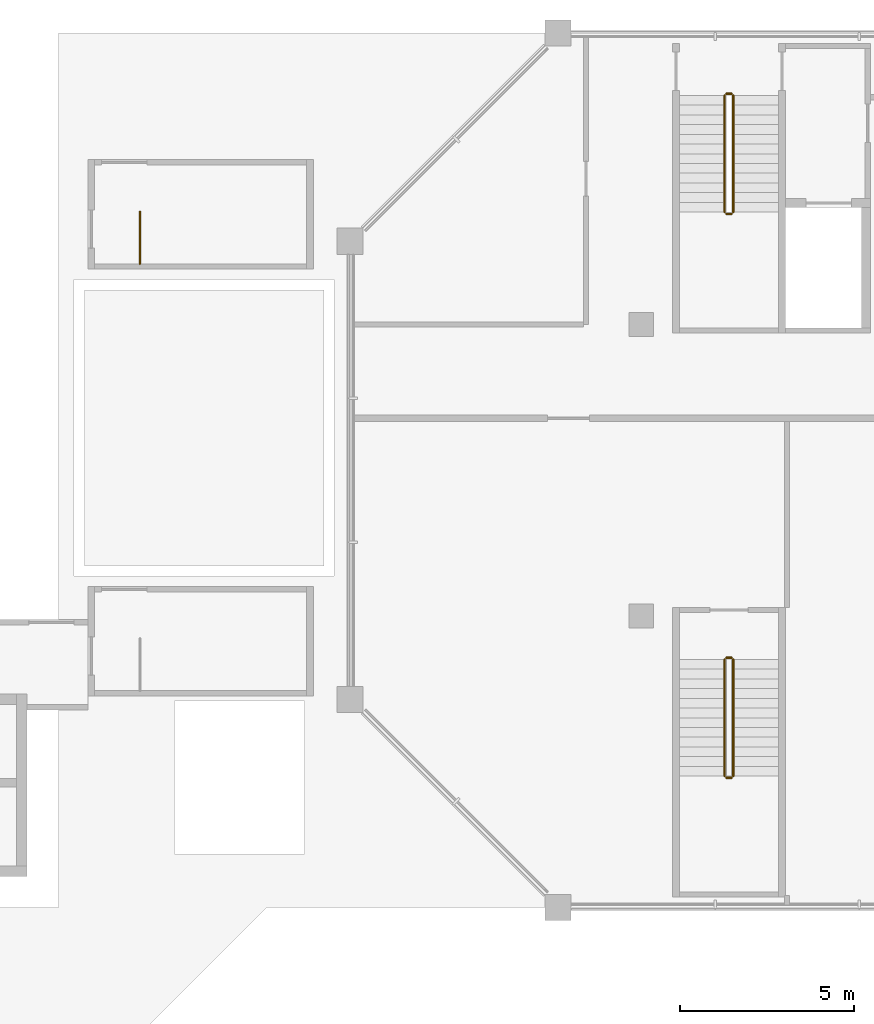
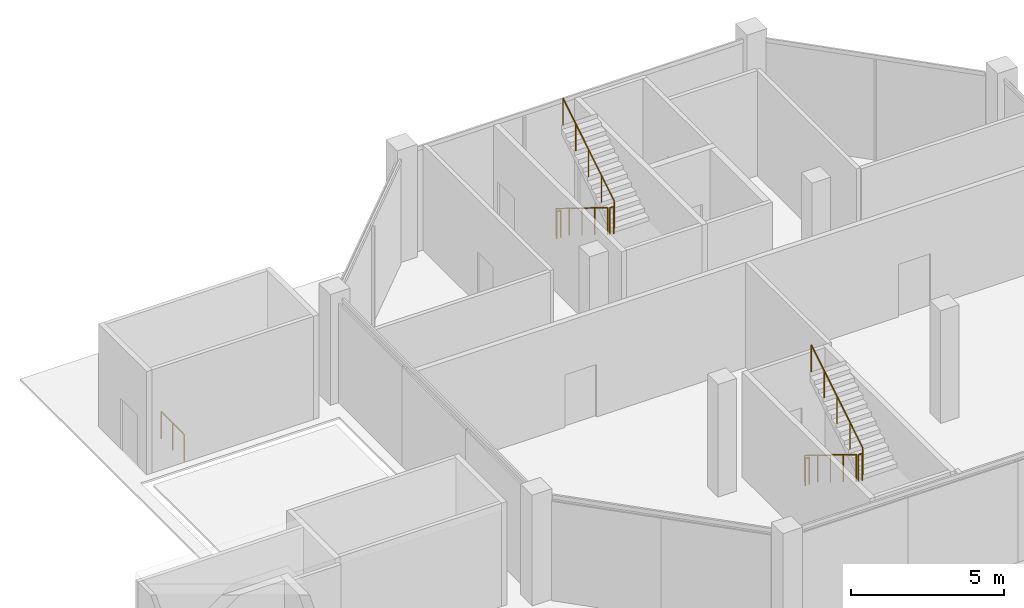
# One storey, part 10 of 10: 9 railings.
"""IFC4 building model written with IfcOpenShell, lengths in metres."""

import ifcopenshell
import ifcopenshell.guid

model = None  # the IFC model being written
_history = None  # IfcOwnerHistory: only IFC2X3 demands one
_inside = {}  # id of a spatial element -> (the spatial element, [elements in it])
_under = {}  # id of a project, library or spatial element -> (it, [spatial elements below it])
_declared = {}  # id of a project -> (the project, [libraries it declares])
_typed = {}  # id of a type object -> (the type object, [elements of that type])
_made_of = {}  # id of a material, layer set ... -> (it, [elements and type objects made of it])


def new_model(schema):
    """Start an empty IFC model of exactly this schema.

    Asked for "IFC4X3", IfcOpenShell would pick the latest addendum, in which some entities
    have other attributes; the version numbers below select the first issue.
    IFC2X3 requires an IfcOwnerHistory on every rooted entity: one is made here for all.
    """
    global model, _history
    if schema == "IFC4X3":
        model = ifcopenshell.file(schema_version=(4, 3, 0, 0))
    else:
        model = ifcopenshell.file(schema=schema)
    _inside.clear()
    _under.clear()
    _declared.clear()
    _typed.clear()
    _made_of.clear()
    _history = None
    if model.schema == "IFC2X3":
        org = make("IfcOrganization", Name="unknown")
        user = make(
            "IfcPersonAndOrganization",
            ThePerson=make("IfcPerson", FamilyName="unknown"),
            TheOrganization=org,
        )
        app = make(
            "IfcApplication",
            ApplicationDeveloper=org,
            Version="unknown",
            ApplicationFullName="unknown",
            ApplicationIdentifier="unknown",
        )
        _history = make(
            "IfcOwnerHistory",
            OwningUser=user,
            OwningApplication=app,
            ChangeAction="ADDED",
            CreationDate=0,
        )
    return model


def make(cls, **values):
    """One entity of the class cls with the attributes given. An attribute that is None is left unset."""
    return model.create_entity(
        cls, **{name: value for name, value in values.items() if value is not None}
    )


def rooted(cls, **values):
    """An entity with a GlobalId (a new one), such as an element, a storey or a relation."""
    return make(cls, GlobalId=ifcopenshell.guid.new(), OwnerHistory=_history, **values)


def si_unit(unit_type, name, prefix=None):
    """IfcSIUnit, for example si_unit("LENGTHUNIT", "METRE", prefix="MILLI")."""
    return make("IfcSIUnit", UnitType=unit_type, Prefix=prefix, Name=name)


def assignment(units):
    """IfcUnitAssignment: the units of a project."""
    return None if units is None else make("IfcUnitAssignment", Units=units)


def point(xyz):
    """IfcCartesianPoint."""
    return None if xyz is None else make("IfcCartesianPoint", Coordinates=xyz)


def direction(xyz):
    """IfcDirection."""
    return None if xyz is None else make("IfcDirection", DirectionRatios=xyz)


def frame(location, z_axis=None, x_axis=None):
    """IfcAxis2Placement3D, a coordinate frame: its origin and axes. An axis left out is left unset."""
    return make(
        "IfcAxis2Placement3D",
        Location=point(location),
        Axis=direction(z_axis),
        RefDirection=direction(x_axis),
    )


def frame_2d(location, x_axis=None):
    """IfcAxis2Placement2D, a coordinate frame in the plane: its origin and x axis."""
    return make(
        "IfcAxis2Placement2D", Location=point(location), RefDirection=direction(x_axis)
    )


def origin():
    """The frame at (0, 0, 0) with its axes left unset."""
    return frame((0.0, 0.0, 0.0))


def origin_2d():
    """The frame at (0, 0) in the plane with its x axis left unset."""
    return frame_2d((0.0, 0.0))


def place(relative_to, where):
    """IfcLocalPlacement: puts the frame where relative to a parent placement (None: the world)."""
    return make(
        "IfcLocalPlacement", PlacementRelTo=relative_to, RelativePlacement=where
    )


def context(
    kind, dimensions, precision=None, world=None, true_north=None, identifier=None
):
    """IfcGeometricRepresentationContext, for example the 3D "Model" context."""
    return make(
        "IfcGeometricRepresentationContext",
        ContextIdentifier=identifier,
        ContextType=kind,
        CoordinateSpaceDimension=dimensions,
        Precision=precision,
        WorldCoordinateSystem=world,
        TrueNorth=true_north,
    )


def subcontext(parent, identifier, kind, view, scale=None):
    """IfcGeometricRepresentationSubContext, for example "Body" below "Model"."""
    return make(
        "IfcGeometricRepresentationSubContext",
        ContextIdentifier=identifier,
        ContextType=kind,
        ParentContext=parent,
        TargetScale=scale,
        TargetView=view,
    )


def project(units=None, contexts=None):
    """IfcProject with its units and contexts."""
    return rooted(
        "IfcProject",
        Name="project",
        RepresentationContexts=contexts,
        UnitsInContext=assignment(units),
    )


def spatial(cls, under=None, at=None, **own):
    """A site, building, storey or space (cls), placed at a placement, below another one or the project."""
    s = rooted(cls, ObjectPlacement=at, **own)
    if under is not None:
        _under.setdefault(under.id(), (under, []))[1].append(s)
    return s


def profile(cls, at=None, kind="AREA", **sizes):
    """A parametric profile (cls). Its sizes go by their IFC names, for example OverallWidth=200.0."""
    return make(cls, ProfileType=kind, Position=at, **sizes)


def circle(**sizes):
    """IfcCircleProfileDef."""
    return profile("IfcCircleProfileDef", **sizes)


def extrude(swept, where, along, depth):
    """IfcExtrudedAreaSolid: the profile swept, set in the frame where, extruded along a direction by depth."""
    return make(
        "IfcExtrudedAreaSolid",
        SweptArea=swept,
        Position=where,
        ExtrudedDirection=direction(along),
        Depth=depth,
    )


def shape(context_of_items, identifier, shape_type, items):
    """IfcShapeRepresentation: the items that make up one representation, for example the "Body"."""
    return make(
        "IfcShapeRepresentation",
        ContextOfItems=context_of_items,
        RepresentationIdentifier=identifier,
        RepresentationType=shape_type,
        Items=items,
    )


def material(Name=None, Category=None):
    """IfcMaterial."""
    return make("IfcMaterial", Name=Name, Category=Category)


def made_of(thing, what):
    """Note that an element or type object is made of a material, layer set ...; save() writes the relation."""
    if what is not None:
        _made_of.setdefault(what.id(), (what, []))[1].append(thing)
    return thing


def type_object(cls, material=None, **own):
    """A type object (cls), such as IfcWallType, which elements share."""
    return made_of(rooted(cls, **own), material)


def element(
    cls,
    number,
    at=None,
    inside=None,
    cuts=None,
    type_object=None,
    material=None,
    context=None,
    identifier="Body",
    shape_type=None,
    held_by="IfcProductDefinitionShape",
    body=None,
    shapes=None,
    **own,
):
    """One element of the class cls, such as IfcWall. Its Tag is "e" and its number.

    at: its placement. inside: the storey or other place that contains it. cuts: it is an
    opening in that element (IfcRelVoidsElement). A single representation is given by context,
    identifier, shape_type and body (its items); several are given by shapes. held_by: the class
    of the entity that holds the representations. save() writes the other relations.
    """
    e = rooted(cls, Tag="e%d" % number, ObjectPlacement=at, **own)
    if body is not None:
        shapes = [shape(context, identifier, shape_type, body)]
    if shapes is not None:
        e.Representation = make(held_by, Representations=shapes)
    if inside is not None:
        _inside.setdefault(inside.id(), (inside, []))[1].append(e)
    if cuts is not None:
        rooted(
            "IfcRelVoidsElement", RelatingBuildingElement=cuts, RelatedOpeningElement=e
        )
    if type_object is not None:
        _typed.setdefault(type_object.id(), (type_object, []))[1].append(e)
    return made_of(e, material)


def aggregate(whole, parts):
    """IfcRelAggregates: a whole, such as a stair, and the parts it consists of."""
    return rooted("IfcRelAggregates", RelatingObject=whole, RelatedObjects=parts)


def save(model, path):
    """Write the relations noted so far, then the file.

    IfcRelAggregates (storeys below a building ...), IfcRelContainedInSpatialStructure (elements
    in a storey), IfcRelDefinesByType, IfcRelAssociatesMaterial and IfcRelDeclares: one each for
    every whole, place, type object, material and project.
    """
    for whole, parts in _under.values():
        aggregate(whole, parts)
    for where, things in _inside.values():
        rooted(
            "IfcRelContainedInSpatialStructure",
            RelatedElements=things,
            RelatingStructure=where,
        )
    for kind, things in _typed.values():
        rooted("IfcRelDefinesByType", RelatedObjects=things, RelatingType=kind)
    for what, things in _made_of.values():
        rooted("IfcRelAssociatesMaterial", RelatedObjects=things, RelatingMaterial=what)
    for by, libraries in _declared.values():
        rooted("IfcRelDeclares", RelatingContext=by, RelatedDefinitions=libraries)
    model.write(path)


model = new_model("IFC4")

# Units and contexts
model_context = context("Model", 3, precision=1e-05, world=origin(), true_north=direction((0.0, 1.0)))
body_context = subcontext(model_context, "Body", "Model", "MODEL_VIEW")
ifc_project = project(units=[si_unit("LENGTHUNIT", "METRE"), si_unit("AREAUNIT", "SQUARE_METRE"), si_unit("VOLUMEUNIT", "CUBIC_METRE"), si_unit("PLANEANGLEUNIT", "RADIAN"), si_unit("MASSUNIT", "GRAM", prefix="KILO")], contexts=[model_context])

# Site, building, storey
site_placement = place(None, origin())
site = spatial("IfcSite", under=ifc_project, at=site_placement, CompositionType="ELEMENT")
building_placement = place(site_placement, origin())
building = spatial("IfcBuilding", under=site, at=building_placement, Name="Kawkab Arch Medical Tower", CompositionType="ELEMENT")
storey_placement = place(building_placement, frame((0.0, 0.0, 336.699951171875)))
storey = spatial("IfcBuildingStorey", under=building, at=storey_placement, Name="L78", CompositionType="ELEMENT", Elevation=336.699951171875)

# Railings
ifc_material = material(Name="Stainless steel", Category="steel")
railing_type = type_object("IfcRailingType", Name="Stair guard 1100", PredefinedType="GUARDRAIL", material=ifc_material)
railing_1_placement = place(storey_placement, frame((27.550048828125, -6.64990234375, 0.0)))
element("IfcRailing", 1, at=railing_1_placement, inside=storey, type_object=railing_type, Name="L78 DS2 top well guard 1", PredefinedType="GUARDRAIL", context=body_context, shape_type="SweptSolid", body=[
    extrude(circle(Radius=0.02392578125, at=origin_2d()), frame((0.0, 0.0, 1.076171875), z_axis=(0.0, 1.0, 0.0), x_axis=(-1.0, 0.0, 0.0)), (0.0, 0.0, 1.0), 1.5),
    extrude(circle(Radius=0.02099609375, at=origin_2d()), origin(), (0.0, 0.0, 1.0), 1.052001953125),
    extrude(circle(Radius=0.02099609375, at=origin_2d()), frame((0.0, 0.75, 0.0)), (0.0, 0.0, 1.0), 1.052001953125),
    extrude(circle(Radius=0.02099609375, at=origin_2d()), frame((0.0, 1.5, 0.0)), (0.0, 0.0, 1.0), 1.052001953125),
])
railing_2_placement = place(storey_placement, frame((44.39990234375, -1.800048828125, 0.173095703125)))
element("IfcRailing", 2, at=railing_2_placement, inside=storey, type_object=railing_type, Name="L78 ST5 stair guard 1", PredefinedType="GUARDRAIL", context=body_context, shape_type="SweptSolid", body=[
    extrude(circle(Radius=0.02392578125, at=origin_2d()), frame((0.0, 0.0, 1.076171875), z_axis=(0.0, -0.850606129759, 0.525803396734), x_axis=(1.0, 0.0, 0.0)), (0.0, 0.0, 1.0), 3.949951171875),
    extrude(circle(Radius=0.02099609375, at=origin_2d()), origin(), (0.0, 0.0, 1.0), 1.052001953125),
    extrude(circle(Radius=0.02099609375, at=origin_2d()), frame((0.0, -0.83984375, 0.519287109375)), (0.0, 0.0, 1.0), 1.052001953125),
    extrude(circle(Radius=0.02099609375, at=origin_2d()), frame((0.0, -1.679931640625, 1.03857421875)), (0.0, 0.0, 1.0), 1.052001953125),
    extrude(circle(Radius=0.02099609375, at=origin_2d()), frame((0.0, -2.52001953125, 1.5576171875)), (0.0, 0.0, 1.0), 1.052001953125),
    extrude(circle(Radius=0.02099609375, at=origin_2d()), frame((0.0, -3.35986328125, 2.076904296875)), (0.0, 0.0, 1.0), 1.052001953125),
])
railing_3_placement = place(storey_placement, frame((44.449951171875, -5.2099609375, 2.25)))
element("IfcRailing", 3, at=railing_3_placement, inside=storey, type_object=railing_type, Name="L78 ST5 stair guard 2", PredefinedType="GUARDRAIL", context=body_context, shape_type="SweptSolid", body=[
    extrude(circle(Radius=0.02392578125, at=origin_2d()), frame((0.0, 0.0, 1.076171875), z_axis=(1.0, 0.0, 0.0), x_axis=(0.0, 1.0, 0.0)), (0.0, 0.0, 1.0), 0.150146484375),
    extrude(circle(Radius=0.02099609375, at=origin_2d()), origin(), (0.0, 0.0, 1.0), 1.052001953125),
    extrude(circle(Radius=0.02099609375, at=origin_2d()), frame((0.150146484375, 0.0, 0.0)), (0.0, 0.0, 1.0), 1.052001953125),
])
railing_4_placement = place(storey_placement, frame((44.64990234375, -5.159912109375, 2.423095703125)))
element("IfcRailing", 4, at=railing_4_placement, inside=storey, type_object=railing_type, Name="L78 ST5 stair guard 3", PredefinedType="GUARDRAIL", context=body_context, shape_type="SweptSolid", body=[
    extrude(circle(Radius=0.02392578125, at=origin_2d()), frame((0.0, 0.0, 1.076171875), z_axis=(0.0, 0.850606129759, 0.525803396734), x_axis=(-1.0, 0.0, 0.0)), (0.0, 0.0, 1.0), 3.949951171875),
    extrude(circle(Radius=0.02099609375, at=origin_2d()), origin(), (0.0, 0.0, 1.0), 1.052001953125),
    extrude(circle(Radius=0.02099609375, at=origin_2d()), frame((0.0, 0.83984375, 0.519287109375)), (0.0, 0.0, 1.0), 1.052001953125),
    extrude(circle(Radius=0.02099609375, at=origin_2d()), frame((0.0, 1.679931640625, 1.03857421875)), (0.0, 0.0, 1.0), 1.052001953125),
    extrude(circle(Radius=0.02099609375, at=origin_2d()), frame((0.0, 2.52001953125, 1.5576171875)), (0.0, 0.0, 1.0), 1.052001953125),
    extrude(circle(Radius=0.02099609375, at=origin_2d()), frame((0.0, 3.35986328125, 2.076904296875)), (0.0, 0.0, 1.0), 1.052001953125),
])
railing_5_placement = place(storey_placement, frame((44.449951171875, -1.75, 0.0)))
element("IfcRailing", 5, at=railing_5_placement, inside=storey, type_object=railing_type, Name="L78 ST5 stair guard 4", PredefinedType="GUARDRAIL", context=body_context, shape_type="SweptSolid", body=[
    extrude(circle(Radius=0.02392578125, at=origin_2d()), frame((0.0, 0.0, 1.076171875), z_axis=(1.0, 0.0, 0.0), x_axis=(0.0, 1.0, 0.0)), (0.0, 0.0, 1.0), 0.150146484375),
    extrude(circle(Radius=0.02099609375, at=origin_2d()), origin(), (0.0, 0.0, 1.0), 1.052001953125),
    extrude(circle(Radius=0.02099609375, at=origin_2d()), frame((0.150146484375, 0.0, 0.0)), (0.0, 0.0, 1.0), 1.052001953125),
])
railing_6_placement = place(storey_placement, frame((44.39990234375, -18.050048828125, 0.173095703125)))
element("IfcRailing", 6, at=railing_6_placement, inside=storey, type_object=railing_type, Name="L78 ST8 stair guard 1", PredefinedType="GUARDRAIL", context=body_context, shape_type="SweptSolid", body=[
    extrude(circle(Radius=0.02392578125, at=origin_2d()), frame((0.0, 0.0, 1.076171875), z_axis=(0.0, -0.850606129759, 0.525803396734), x_axis=(1.0, 0.0, 0.0)), (0.0, 0.0, 1.0), 3.949951171875),
    extrude(circle(Radius=0.02099609375, at=origin_2d()), origin(), (0.0, 0.0, 1.0), 1.052001953125),
    extrude(circle(Radius=0.02099609375, at=origin_2d()), frame((0.0, -0.83984375, 0.519287109375)), (0.0, 0.0, 1.0), 1.052001953125),
    extrude(circle(Radius=0.02099609375, at=origin_2d()), frame((0.0, -1.679931640625, 1.03857421875)), (0.0, 0.0, 1.0), 1.052001953125),
    extrude(circle(Radius=0.02099609375, at=origin_2d()), frame((0.0, -2.52001953125, 1.5576171875)), (0.0, 0.0, 1.0), 1.052001953125),
    extrude(circle(Radius=0.02099609375, at=origin_2d()), frame((0.0, -3.35986328125, 2.076904296875)), (0.0, 0.0, 1.0), 1.052001953125),
])
railing_7_placement = place(storey_placement, frame((44.449951171875, -21.4599609375, 2.25)))
element("IfcRailing", 7, at=railing_7_placement, inside=storey, type_object=railing_type, Name="L78 ST8 stair guard 2", PredefinedType="GUARDRAIL", context=body_context, shape_type="SweptSolid", body=[
    extrude(circle(Radius=0.02392578125, at=origin_2d()), frame((0.0, 0.0, 1.076171875), z_axis=(1.0, 0.0, 0.0), x_axis=(0.0, 1.0, 0.0)), (0.0, 0.0, 1.0), 0.150146484375),
    extrude(circle(Radius=0.02099609375, at=origin_2d()), origin(), (0.0, 0.0, 1.0), 1.052001953125),
    extrude(circle(Radius=0.02099609375, at=origin_2d()), frame((0.150146484375, 0.0, 0.0)), (0.0, 0.0, 1.0), 1.052001953125),
])
railing_8_placement = place(storey_placement, frame((44.64990234375, -21.409912109375, 2.423095703125)))
element("IfcRailing", 8, at=railing_8_placement, inside=storey, type_object=railing_type, Name="L78 ST8 stair guard 3", PredefinedType="GUARDRAIL", context=body_context, shape_type="SweptSolid", body=[
    extrude(circle(Radius=0.02392578125, at=origin_2d()), frame((0.0, 0.0, 1.076171875), z_axis=(0.0, 0.850606129759, 0.525803396734), x_axis=(-1.0, 0.0, 0.0)), (0.0, 0.0, 1.0), 3.949951171875),
    extrude(circle(Radius=0.02099609375, at=origin_2d()), origin(), (0.0, 0.0, 1.0), 1.052001953125),
    extrude(circle(Radius=0.02099609375, at=origin_2d()), frame((0.0, 0.83984375, 0.519287109375)), (0.0, 0.0, 1.0), 1.052001953125),
    extrude(circle(Radius=0.02099609375, at=origin_2d()), frame((0.0, 1.679931640625, 1.03857421875)), (0.0, 0.0, 1.0), 1.052001953125),
    extrude(circle(Radius=0.02099609375, at=origin_2d()), frame((0.0, 2.52001953125, 1.5576171875)), (0.0, 0.0, 1.0), 1.052001953125),
    extrude(circle(Radius=0.02099609375, at=origin_2d()), frame((0.0, 3.35986328125, 2.076904296875)), (0.0, 0.0, 1.0), 1.052001953125),
])
railing_9_placement = place(storey_placement, frame((44.449951171875, -18.0, 0.0)))
element("IfcRailing", 9, at=railing_9_placement, inside=storey, type_object=railing_type, Name="L78 ST8 stair guard 4", PredefinedType="GUARDRAIL", context=body_context, shape_type="SweptSolid", body=[
    extrude(circle(Radius=0.02392578125, at=origin_2d()), frame((0.0, 0.0, 1.076171875), z_axis=(1.0, 0.0, 0.0), x_axis=(0.0, 1.0, 0.0)), (0.0, 0.0, 1.0), 0.150146484375),
    extrude(circle(Radius=0.02099609375, at=origin_2d()), origin(), (0.0, 0.0, 1.0), 1.052001953125),
    extrude(circle(Radius=0.02099609375, at=origin_2d()), frame((0.150146484375, 0.0, 0.0)), (0.0, 0.0, 1.0), 1.052001953125),
])

save(model, "model.ifc")
